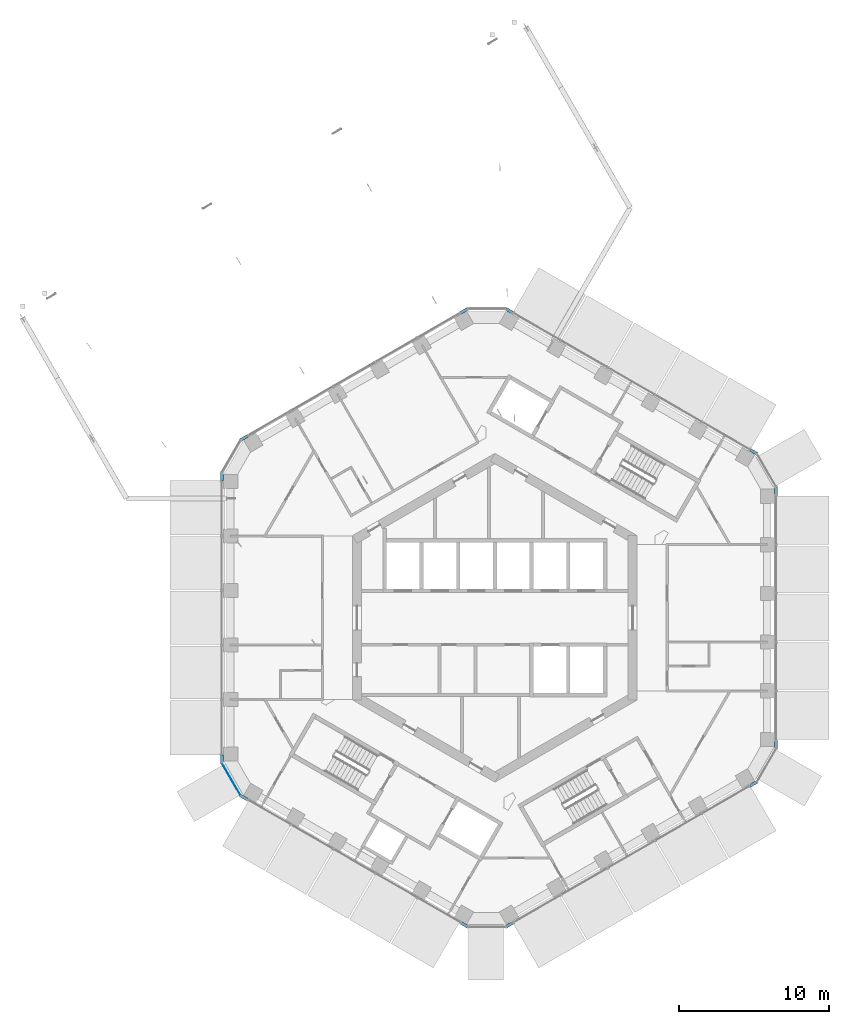
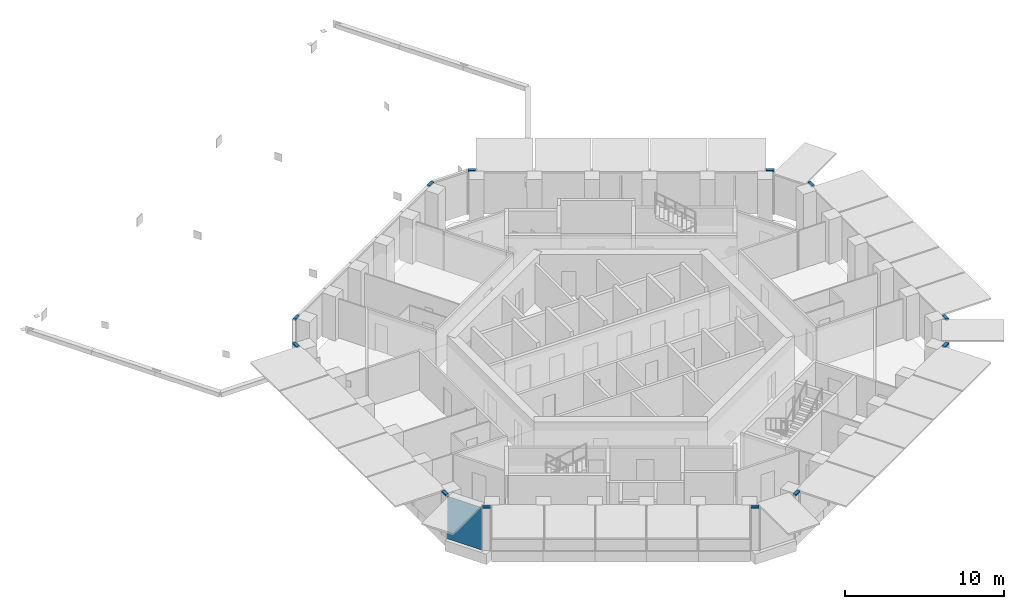
# One storey, part 7 of 21: 12 members, 1 plate, 6 elements without a shape of their own.
"""IFC4 building model written with IfcOpenShell, lengths in metres."""

from ifc_helpers import new_model, si_unit, direction, frame, origin, origin_2d, place, context, subcontext, project, spatial, rectangle, extrude, material, layer, layer_set, material_profile, profile_set, type_object, element, aggregate, save


model = new_model("IFC4")

# Units and contexts
model_context = context("Model", 3, precision=1e-05, world=origin(), true_north=direction((0.0, 1.0)))
body_context = subcontext(model_context, "Body", "Model", "MODEL_VIEW")
ifc_project = project(units=[si_unit("LENGTHUNIT", "METRE"), si_unit("AREAUNIT", "SQUARE_METRE"), si_unit("VOLUMEUNIT", "CUBIC_METRE"), si_unit("PLANEANGLEUNIT", "RADIAN"), si_unit("MASSUNIT", "GRAM", prefix="KILO")], contexts=[model_context])

# Site, building, storey
site_placement = place(None, origin())
site = spatial("IfcSite", under=ifc_project, at=site_placement, CompositionType="ELEMENT")
building_placement = place(site_placement, origin())
building = spatial("IfcBuilding", under=site, at=building_placement, Name="Ayvan Gate Tower", CompositionType="ELEMENT")
storey_placement = place(building_placement, frame((0.0, 0.0, 183.300048828125)))
storey = spatial("IfcBuildingStorey", under=building, at=storey_placement, Name="L49", CompositionType="ELEMENT", Elevation=183.300048828125)

# Curtain wall, members
ifc_material_1 = material(Name="Bronze anodised aluminium", Category="aluminium")
ifc_layer_1 = layer(ifc_material_1, 0.199951171875)
ifc_layer_set_1 = layer_set([ifc_layer_1], Name="Bronze anodised aluminium")
curtain_wall_type = type_object("IfcCurtainWallType", Name="Stick curtain wall CW-6", PredefinedType="NOTDEFINED", material=ifc_layer_set_1)
curtain_wall_1_placement = place(storey_placement, origin())
curtain_wall_1 = element("IfcCurtainWall", 1, at=curtain_wall_1_placement, inside=storey, type_object=curtain_wall_type, Name="Stick curtain wall CW-6 L49", PredefinedType="NOTDEFINED")
ifc_material_profile = material_profile(ifc_material_1, rectangle(XDim=0.199951171875, YDim=0.1201171875, at=origin_2d()), Name="Stick curtain wall CW-6 transom 200 x 120")
ifc_profile_set = profile_set([ifc_material_profile], Name="Bronze anodised aluminium")
member_type = type_object("IfcMemberType", Name="Stick curtain wall CW-6 transom 200 x 120", PredefinedType="USERDEFINED", material=ifc_profile_set)
member_1_placement = place(storey_placement, frame((-16.50537109375, 12.134521484375, 3.33984375), z_axis=(-0.866071776036, -0.499919672301, 0.0), x_axis=(0.499919672301, -0.866071776036, 0.0)))
member_1 = element("IfcMember", 2, at=member_1_placement, type_object=member_type, Name="CW-6 transom 1", ObjectType="TRANSOM", PredefinedType="USERDEFINED", context=body_context, shape_type="SweptSolid", body=[
    extrude(rectangle(XDim=0.199951171875, YDim=0.1201171875, at=origin_2d()), origin(), (0.0, 0.0, 1.0), 0.5),
])
member_2_placement = place(storey_placement, frame((-18.227294921875, 9.652099609375, 3.33984375), z_axis=(0.0, -1.0, 0.0), x_axis=(1.0, 0.0, 0.0)))
member_2 = element("IfcMember", 3, at=member_2_placement, type_object=member_type, Name="CW-6 transom 3", ObjectType="TRANSOM", PredefinedType="USERDEFINED", context=body_context, shape_type="SweptSolid", body=[
    extrude(rectangle(XDim=0.199951171875, YDim=0.1201171875, at=origin_2d()), origin(), (0.0, 0.0, 1.0), 0.5),
])
aggregate(curtain_wall_1, [member_1, member_2])

curtain_wall_2_placement = place(storey_placement, origin())
curtain_wall_2 = element("IfcCurtainWall", 4, at=curtain_wall_2_placement, inside=storey, type_object=curtain_wall_type, Name="Stick curtain wall CW-6 L49", PredefinedType="NOTDEFINED")
member_3_placement = place(storey_placement, frame((-18.227294921875, -9.152099609375, 3.33984375), z_axis=(0.0, -1.0, 0.0), x_axis=(1.0, 0.0, 0.0)))
member_3 = element("IfcMember", 5, at=member_3_placement, type_object=member_type, Name="CW-6 transom 1", ObjectType="TRANSOM", PredefinedType="USERDEFINED", context=body_context, shape_type="SweptSolid", body=[
    extrude(rectangle(XDim=0.199951171875, YDim=0.1201171875, at=origin_2d()), origin(), (0.0, 0.0, 1.0), 0.5),
])
member_4_placement = place(storey_placement, frame((-16.9384765625, -11.884521484375, 3.33984375), z_axis=(0.866071776036, -0.499919672301, 0.0), x_axis=(0.499919672301, 0.866071776036, 0.0)))
member_4 = element("IfcMember", 6, at=member_4_placement, type_object=member_type, Name="CW-6 transom 2", ObjectType="TRANSOM", PredefinedType="USERDEFINED", context=body_context, shape_type="SweptSolid", body=[
    extrude(rectangle(XDim=0.199951171875, YDim=0.1201171875, at=origin_2d()), origin(), (0.0, 0.0, 1.0), 0.5),
])

curtain_wall_3_placement = place(storey_placement, origin())
curtain_wall_3 = element("IfcCurtainWall", 7, at=curtain_wall_3_placement, inside=storey, type_object=curtain_wall_type, Name="Stick curtain wall CW-6 L49", PredefinedType="NOTDEFINED")
member_5_placement = place(storey_placement, frame((-2.256103515625, -20.361328125, 3.33984375), z_axis=(0.866071776036, -0.499919672301, 0.0), x_axis=(0.499919672301, 0.866071776036, 0.0)))
member_5 = element("IfcMember", 8, at=member_5_placement, type_object=member_type, Name="CW-6 transom 1", ObjectType="TRANSOM", PredefinedType="USERDEFINED", context=body_context, shape_type="SweptSolid", body=[
    extrude(rectangle(XDim=0.199951171875, YDim=0.1201171875, at=origin_2d()), origin(), (0.0, 0.0, 1.0), 0.5),
])
member_6_placement = place(storey_placement, frame((0.7548828125, -20.611328125, 3.33984375), z_axis=(0.865949687125, 0.500131122175, 0.0), x_axis=(-0.500131122175, 0.865949687125, 0.0)))
member_6 = element("IfcMember", 9, at=member_6_placement, type_object=member_type, Name="CW-6 transom 2", ObjectType="TRANSOM", PredefinedType="USERDEFINED", context=body_context, shape_type="SweptSolid", body=[
    extrude(rectangle(XDim=0.199951171875, YDim=0.1201171875, at=origin_2d()), origin(), (0.0, 0.0, 1.0), 0.499755859375),
])
aggregate(curtain_wall_3, [member_5, member_6])

curtain_wall_4_placement = place(storey_placement, origin())
curtain_wall_4 = element("IfcCurtainWall", 10, at=curtain_wall_4_placement, inside=storey, type_object=curtain_wall_type, Name="Stick curtain wall CW-6 L49", PredefinedType="NOTDEFINED")
member_7_placement = place(storey_placement, frame((17.03955078125, -11.20947265625, 3.33984375), z_axis=(0.866071776036, 0.499919672301, 0.0), x_axis=(-0.499919672301, 0.866071776036, 0.0)))
member_7 = element("IfcMember", 11, at=member_7_placement, type_object=member_type, Name="CW-6 transom 1", ObjectType="TRANSOM", PredefinedType="USERDEFINED", context=body_context, shape_type="SweptSolid", body=[
    extrude(rectangle(XDim=0.199951171875, YDim=0.1201171875, at=origin_2d()), origin(), (0.0, 0.0, 1.0), 0.5),
])
member_8_placement = place(storey_placement, frame((18.761474609375, -8.726806640625, 3.33984375), z_axis=(0.0, 1.0, 0.0), x_axis=(-1.0, 0.0, 0.0)))
member_8 = element("IfcMember", 12, at=member_8_placement, type_object=member_type, Name="CW-6 transom 2", ObjectType="TRANSOM", PredefinedType="USERDEFINED", context=body_context, shape_type="SweptSolid", body=[
    extrude(rectangle(XDim=0.199951171875, YDim=0.1201171875, at=origin_2d()), origin(), (0.0, 0.0, 1.0), 0.5),
])
aggregate(curtain_wall_4, [member_7, member_8])

curtain_wall_5_placement = place(storey_placement, origin())
curtain_wall_5 = element("IfcCurtainWall", 13, at=curtain_wall_5_placement, inside=storey, type_object=curtain_wall_type, Name="Stick curtain wall CW-6 L49", PredefinedType="NOTDEFINED")
member_9_placement = place(storey_placement, frame((18.761474609375, 8.226806640625, 3.33984375), z_axis=(0.0, 1.0, 0.0), x_axis=(-1.0, 0.0, 0.0)))
member_9 = element("IfcMember", 14, at=member_9_placement, type_object=member_type, Name="CW-6 transom 1", ObjectType="TRANSOM", PredefinedType="USERDEFINED", context=body_context, shape_type="SweptSolid", body=[
    extrude(rectangle(XDim=0.199951171875, YDim=0.1201171875, at=origin_2d()), origin(), (0.0, 0.0, 1.0), 0.5),
])
member_10_placement = place(storey_placement, frame((17.47265625, 10.95947265625, 3.33984375), z_axis=(-0.866071776036, 0.499919672301, 0.0), x_axis=(-0.499919672301, -0.866071776036, 0.0)))
member_10 = element("IfcMember", 15, at=member_10_placement, type_object=member_type, Name="CW-6 transom 2", ObjectType="TRANSOM", PredefinedType="USERDEFINED", context=body_context, shape_type="SweptSolid", body=[
    extrude(rectangle(XDim=0.199951171875, YDim=0.1201171875, at=origin_2d()), origin(), (0.0, 0.0, 1.0), 0.5),
])
aggregate(curtain_wall_5, [member_9, member_10])

curtain_wall_6_placement = place(storey_placement, origin())
curtain_wall_6 = element("IfcCurtainWall", 16, at=curtain_wall_6_placement, inside=storey, type_object=curtain_wall_type, Name="Stick curtain wall CW-6 L49", PredefinedType="NOTDEFINED")
member_11_placement = place(storey_placement, frame((1.187744140625, 20.361328125, 3.33984375), z_axis=(-0.865949687125, 0.500131122175, 0.0), x_axis=(-0.500131122175, -0.865949687125, 0.0)))
member_11 = element("IfcMember", 17, at=member_11_placement, type_object=member_type, Name="CW-6 transom 1", ObjectType="TRANSOM", PredefinedType="USERDEFINED", context=body_context, shape_type="SweptSolid", body=[
    extrude(rectangle(XDim=0.199951171875, YDim=0.1201171875, at=origin_2d()), origin(), (0.0, 0.0, 1.0), 0.499755859375),
])
member_12_placement = place(storey_placement, frame((-1.822998046875, 20.611328125, 3.33984375), z_axis=(-0.866071776036, -0.499919672301, 0.0), x_axis=(0.499919672301, -0.866071776036, 0.0)))
member_12 = element("IfcMember", 18, at=member_12_placement, type_object=member_type, Name="CW-6 transom 3", ObjectType="TRANSOM", PredefinedType="USERDEFINED", context=body_context, shape_type="SweptSolid", body=[
    extrude(rectangle(XDim=0.199951171875, YDim=0.1201171875, at=origin_2d()), origin(), (0.0, 0.0, 1.0), 0.5),
])
aggregate(curtain_wall_6, [member_11, member_12])

# Plate
ifc_material_2 = material(Name="Clear low-iron laminated glass", Category="glass")
ifc_layer_2 = layer(ifc_material_2, 0.028076171875)
ifc_layer_set_2 = layer_set([ifc_layer_2], Name="Clear low-iron laminated glass")
plate_type = type_object("IfcPlateType", Name="Stick curtain wall CW-6 glass panel", PredefinedType="CURTAIN_PANEL", material=ifc_layer_set_2)
plate_placement = place(storey_placement, frame((-17.59375, -10.7744140625, 0.0), z_axis=(0.0, 0.0, 1.0), x_axis=(0.5, -0.866025403784, 0.0)))
plate = element("IfcPlate", 19, at=plate_placement, type_object=plate_type, Name="CW-6 glass panel 2", PredefinedType="CURTAIN_PANEL", context=body_context, shape_type="SweptSolid", body=[
    extrude(rectangle(XDim=2.484619140625, YDim=0.028076171875, at=origin_2d()), origin(), (0.0, 0.0, 1.0), 3.280029296875),
])

aggregate(curtain_wall_2, [member_3, member_4, plate])

save(model, "model.ifc")
